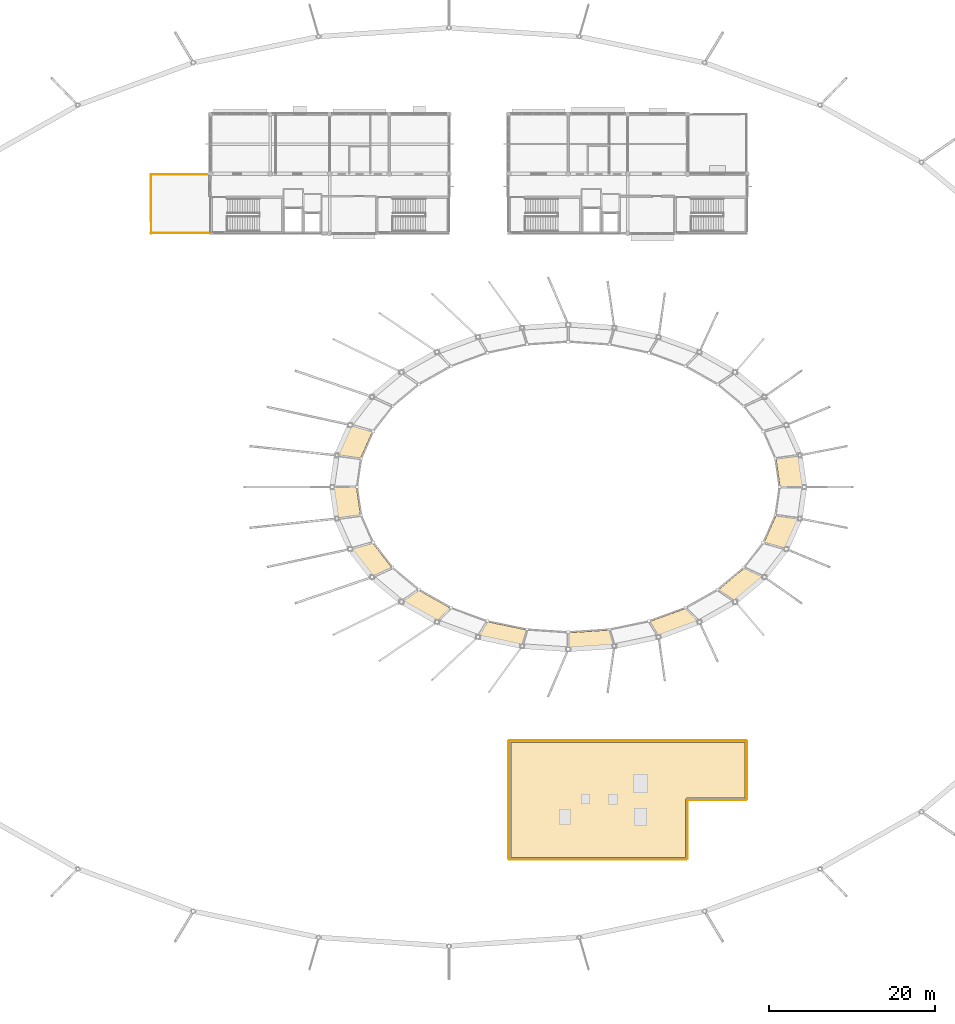
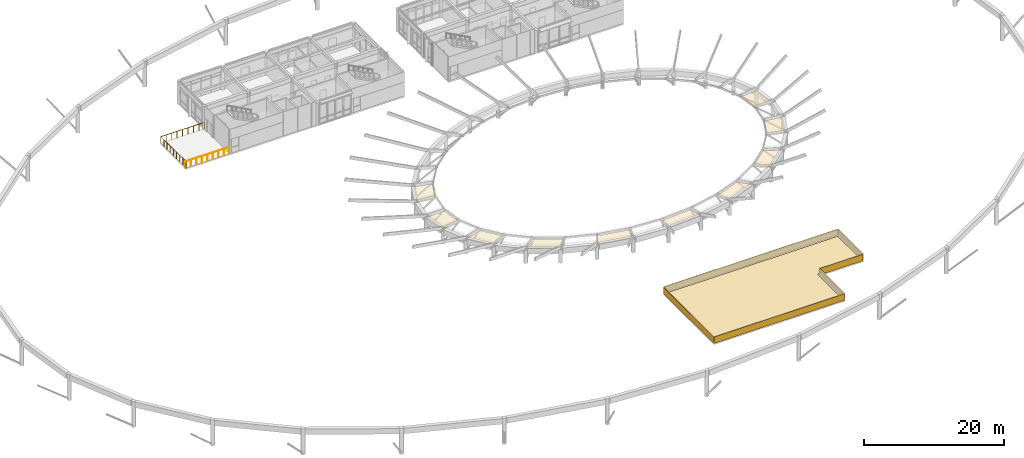
# One storey, part 30 of 37: 17 coverings, 2 railings.
"""IFC4 building model written with IfcOpenShell, lengths in metres."""

from ifc_helpers import new_model, si_unit, direction, frame, origin, origin_2d, place, context, subcontext, project, spatial, polyline, rectangle, circle, outline, extrude, material, layer, layer_set, type_object, element, save


model = new_model("IFC4")

# Units and contexts
model_context = context("Model", 3, precision=1e-05, world=origin(), true_north=direction((0.0, 1.0)))
body_context = subcontext(model_context, "Body", "Model", "MODEL_VIEW")
ifc_project = project(units=[si_unit("LENGTHUNIT", "METRE"), si_unit("AREAUNIT", "SQUARE_METRE"), si_unit("VOLUMEUNIT", "CUBIC_METRE"), si_unit("PLANEANGLEUNIT", "RADIAN"), si_unit("MASSUNIT", "GRAM", prefix="KILO")], contexts=[model_context])

# Site, building, storey
site_placement = place(None, origin())
site = spatial("IfcSite", under=ifc_project, at=site_placement, CompositionType="ELEMENT")
building_placement = place(site_placement, origin())
building = spatial("IfcBuilding", under=site, at=building_placement, Name="Namkhue Oval Health Centre", CompositionType="ELEMENT")
storey_placement = place(building_placement, frame((0.0, 0.0, 22.199951171875)))
storey = spatial("IfcBuildingStorey", under=building, at=storey_placement, Name="L05", CompositionType="ELEMENT", Elevation=22.199951171875)

# Railings
ifc_material_1 = material(Name="Brushed stainless steel 316L balustrade with laminated glass infill", Category="steel")
railing_type = type_object("IfcRailingType", Name="EXTERIOR BALUSTRADE GUARD 1150", PredefinedType="BALUSTRADE", material=ifc_material_1)
railing_1_placement = place(storey_placement, frame((50.39990234375, 90.06005859375, 0.0)))
element("IfcRailing", 1, at=railing_1_placement, inside=storey, type_object=railing_type, Name="Volume V2 L05 Terrace Balustrade Guard 1", PredefinedType="BALUSTRADE", context=body_context, shape_type="SweptSolid", body=[
    extrude(circle(Radius=0.02392578125, at=origin_2d()), frame((0.0, 0.0, 1.1259765625), z_axis=(1.0, 0.0, 0.0), x_axis=(0.0, 1.0, 0.0)), (0.0, 0.0, 1.0), 7.2001953125),
    extrude(circle(Radius=0.02099609375, at=origin_2d()), origin(), (0.0, 0.0, 1.0), 1.101806640625),
    extrude(circle(Radius=0.02099609375, at=origin_2d()), frame((0.89990234375, 0.0, 0.0)), (0.0, 0.0, 1.0), 1.101806640625),
    extrude(circle(Radius=0.02099609375, at=origin_2d()), frame((1.800048828125, 0.0, 0.0)), (0.0, 0.0, 1.0), 1.101806640625),
    extrude(circle(Radius=0.02099609375, at=origin_2d()), frame((2.7001953125, 0.0, 0.0)), (0.0, 0.0, 1.0), 1.101806640625),
    extrude(circle(Radius=0.02099609375, at=origin_2d()), frame((3.60009765625, 0.0, 0.0)), (0.0, 0.0, 1.0), 1.101806640625),
    extrude(circle(Radius=0.02099609375, at=origin_2d()), frame((4.5, 0.0, 0.0)), (0.0, 0.0, 1.0), 1.101806640625),
    extrude(circle(Radius=0.02099609375, at=origin_2d()), frame((5.400146484375, 0.0, 0.0)), (0.0, 0.0, 1.0), 1.101806640625),
    extrude(circle(Radius=0.02099609375, at=origin_2d()), frame((6.30029296875, 0.0, 0.0)), (0.0, 0.0, 1.0), 1.101806640625),
    extrude(circle(Radius=0.02099609375, at=origin_2d()), frame((7.2001953125, 0.0, 0.0)), (0.0, 0.0, 1.0), 1.101806640625),
])
railing_2_placement = place(storey_placement, frame((57.60009765625, 97.139892578125, 0.0)))
element("IfcRailing", 2, at=railing_2_placement, inside=storey, type_object=railing_type, Name="Volume V2 L05 Terrace Balustrade Guard 2", PredefinedType="BALUSTRADE", context=body_context, shape_type="SweptSolid", body=[
    extrude(circle(Radius=0.02392578125, at=origin_2d()), frame((0.0, 0.0, 1.1259765625), z_axis=(-1.0, 0.0, 0.0), x_axis=(0.0, -1.0, 0.0)), (0.0, 0.0, 1.0), 7.2001953125),
    extrude(circle(Radius=0.02392578125, at=origin_2d()), frame((-7.2001953125, 0.0, 1.1259765625), z_axis=(0.008411396731, -0.999964623577, 0.0), x_axis=(0.999964623577, 0.008411396731, 0.0)), (0.0, 0.0, 1.0), 7.14013671875),
    extrude(circle(Radius=0.02099609375, at=origin_2d()), origin(), (0.0, 0.0, 1.0), 1.101806640625),
    extrude(circle(Radius=0.02099609375, at=origin_2d()), frame((-0.89990234375, 0.0, 0.0)), (0.0, 0.0, 1.0), 1.101806640625),
    extrude(circle(Radius=0.02099609375, at=origin_2d()), frame((-1.800048828125, 0.0, 0.0)), (0.0, 0.0, 1.0), 1.101806640625),
    extrude(circle(Radius=0.02099609375, at=origin_2d()), frame((-2.7001953125, 0.0, 0.0)), (0.0, 0.0, 1.0), 1.101806640625),
    extrude(circle(Radius=0.02099609375, at=origin_2d()), frame((-3.60009765625, 0.0, 0.0)), (0.0, 0.0, 1.0), 1.101806640625),
    extrude(circle(Radius=0.02099609375, at=origin_2d()), frame((-4.5, 0.0, 0.0)), (0.0, 0.0, 1.0), 1.101806640625),
    extrude(circle(Radius=0.02099609375, at=origin_2d()), frame((-5.400146484375, 0.0, 0.0)), (0.0, 0.0, 1.0), 1.101806640625),
    extrude(circle(Radius=0.02099609375, at=origin_2d()), frame((-6.30029296875, 0.0, 0.0)), (0.0, 0.0, 1.0), 1.101806640625),
    extrude(circle(Radius=0.02099609375, at=origin_2d()), frame((-7.2001953125, 0.0, 0.0)), (0.0, 0.0, 1.0), 1.101806640625),
    extrude(circle(Radius=0.02099609375, at=origin_2d()), frame((-7.192626953125, -0.892578125, 0.0)), (0.0, 0.0, 1.0), 1.101806640625),
    extrude(circle(Radius=0.02099609375, at=origin_2d()), frame((-7.18505859375, -1.784912109375, 0.0)), (0.0, 0.0, 1.0), 1.101806640625),
    extrude(circle(Radius=0.02099609375, at=origin_2d()), frame((-7.177734375, -2.677490234375, 0.0)), (0.0, 0.0, 1.0), 1.101806640625),
    extrude(circle(Radius=0.02099609375, at=origin_2d()), frame((-7.170166015625, -3.56982421875, 0.0)), (0.0, 0.0, 1.0), 1.101806640625),
    extrude(circle(Radius=0.02099609375, at=origin_2d()), frame((-7.16259765625, -4.46240234375, 0.0)), (0.0, 0.0, 1.0), 1.101806640625),
    extrude(circle(Radius=0.02099609375, at=origin_2d()), frame((-7.1552734375, -5.35498046875, 0.0)), (0.0, 0.0, 1.0), 1.101806640625),
    extrude(circle(Radius=0.02099609375, at=origin_2d()), frame((-7.147705078125, -6.247314453125, 0.0)), (0.0, 0.0, 1.0), 1.101806640625),
    extrude(circle(Radius=0.02099609375, at=origin_2d()), frame((-7.14013671875, -7.139892578125, 0.0)), (0.0, 0.0, 1.0), 1.101806640625),
])

# Coverings
ifc_material_2 = material(Name="Slatted FSC timber acoustic soffit lining", Category="wood")
ifc_layer_1 = layer(ifc_material_2, 0.0400390625)
ifc_layer_set_1 = layer_set([ifc_layer_1], Name="Slatted FSC timber acoustic soffit lining")
covering_type_1 = type_object("IfcCoveringType", Name="SLATTED TIMBER SOFFIT CEILING 40", PredefinedType="CEILING", material=ifc_layer_set_1)
covering_1_placement = place(storey_placement, frame((129.215087890625, 59.44189453125, 2.4013671875), z_axis=(0.013226915044, 0.001894905502, 0.999910725041), x_axis=(-0.141820619058, 0.989892373953, 9.6782e-08)))
element("IfcCovering", 3, at=covering_1_placement, inside=storey, type_object=covering_type_1, Name="Gridshell Canopy Slatted Timber Soffit K6-1", PredefinedType="CEILING", context=body_context, shape_type="SweptSolid", body=[
    extrude(outline(polyline([(0.0, 0.0), (3.766586877320979, 1.1102230246251565e-16), (3.7844325695074414, 2.813755825064358), (0.40309464403786166, 2.8138075984584368), (0.0, 0.0)])), origin(), (0.0, 0.0, -1.0), 0.0400390625),
])
covering_2_placement = place(storey_placement, frame((74.528564453125, 66.837646484375, 2.4013671875), z_axis=(-0.012669048683, 0.005590195011, 0.999904117866), x_axis=(-0.403669346827, -0.914904945026, 3.9049e-07)))
element("IfcCovering", 4, at=covering_2_placement, inside=storey, type_object=covering_type_1, Name="Gridshell Canopy Slatted Timber Soffit K6-15", PredefinedType="CEILING", context=body_context, shape_type="SweptSolid", body=[
    extrude(outline(polyline([(0.0, 0.0), (3.9197313902014983, 0.0), (3.1452002714243465, 2.6973901680945573), (-0.3748852748918934, 2.697599964621639), (0.0, 0.0)])), origin(), (0.0, 0.0, -1.0), 0.0400390625),
])
covering_3_placement = place(storey_placement, frame((72.385009765625, 59.35791015625, 2.4013671875), z_axis=(-0.01322759064, -0.001894611254, 0.999910716661), x_axis=(0.1417662052, -0.989900168231, -2.50692e-07)))
element("IfcCovering", 5, at=covering_3_placement, inside=storey, type_object=covering_type_1, Name="Gridshell Canopy Slatted Timber Soffit K6-17", PredefinedType="CEILING", context=body_context, shape_type="SweptSolid", body=[
    extrude(outline(polyline([(0.0, 0.0), (3.7663105858943156, 1.1102230246251565e-16), (3.7842432835882884, 2.8137221939737134), (0.402905360381398, 2.813588098642962), (0.0, 0.0)])), origin(), (0.0, 0.0, -1.0), 0.0400390625),
])
covering_4_placement = place(storey_placement, frame((74.57958984375, 51.889404296875, 2.4013671875), z_axis=(-0.011729214528, -0.009119124523, 0.999889627456), x_axis=(0.613767102828, -0.789487139532, -4.25563e-07)))
element("IfcCovering", 6, at=covering_4_placement, inside=storey, type_object=covering_type_1, Name="Gridshell Canopy Slatted Timber Soffit K6-19", PredefinedType="CEILING", context=body_context, shape_type="SweptSolid", body=[
    extrude(outline(polyline([(0.0, 0.0), (4.188958533197765, -4.440892098500626e-16), (4.778150388455016, 2.5143259863172975), (1.013909830949152, 2.514098176892551), (0.0, 0.0)])), origin(), (0.0, 0.0, -1.0), 0.0400390625),
])
covering_5_placement = place(storey_placement, frame((80.76220703125, 45.572998046875, 2.401611328125), z_axis=(-0.008420401719, -0.014924104276, 0.999853173194), x_axis=(0.870949742469, -0.491372105531, 4.58235e-07)))
element("IfcCovering", 7, at=covering_5_placement, inside=storey, type_object=covering_type_1, Name="Gridshell Canopy Slatted Timber Soffit K6-21", PredefinedType="CEILING", context=body_context, shape_type="SweptSolid", body=[
    extrude(outline(polyline([(0.0, 0.0), (4.850297335967979, 0.0), (5.416800502090147, 2.1512259391000494), (1.0518703851049742, 2.151472368370575), (0.0, 0.0)])), origin(), (0.0, 0.0, -1.0), 0.0400390625),
])
covering_6_placement = place(storey_placement, frame((89.981689453125, 41.36279296875, 2.40185546875), z_axis=(-0.003834766206, -0.018386507423, 0.999823599898), x_axis=(0.978937137212, -0.20416189994, 1.70793e-07)))
element("IfcCovering", 8, at=covering_6_placement, inside=storey, type_object=covering_type_1, Name="Gridshell Canopy Slatted Timber Soffit K6-23", PredefinedType="CEILING", context=body_context, shape_type="SweptSolid", body=[
    extrude(outline(polyline([(0.0, 0.0), (5.352484741937441, 0.0), (5.500050405605942, 1.9367334115887986), (0.6777570883233278, 1.93682593445405), (0.0, 0.0)])), origin(), (0.0, 0.0, -1.0), 0.0400390625),
])
covering_7_placement = place(storey_placement, frame((100.842041015625, 39.89111328125, 2.40185546875), z_axis=(0.001297317365, -0.019157429117, 0.999815637944), x_axis=(0.997715626207, 0.067553898642, -1.94818e-07)))
element("IfcCovering", 9, at=covering_7_placement, inside=storey, type_object=covering_type_1, Name="Gridshell Canopy Slatted Timber Soffit K6-25", PredefinedType="CEILING", context=body_context, shape_type="SweptSolid", body=[
    extrude(outline(polyline([(0.0, 0.0), (5.464386997944815, 0.0), (5.052588943470341, 1.8945554490899845), (0.128246847365656, 1.894450044277902), (0.0, 0.0)])), origin(), (0.0, 0.0, -1.0), 0.0400390625),
])
covering_8_placement = place(storey_placement, frame((111.703857421875, 41.38330078125, 2.401611328125), z_axis=(0.006287134354, -0.017109333014, 0.999833857531), x_axis=(0.938631477911, 0.344921655851, 7.7276e-08)))
element("IfcCovering", 10, at=covering_8_placement, inside=storey, type_object=covering_type_1, Name="Gridshell Canopy Slatted Timber Soffit K6-27", PredefinedType="CEILING", context=body_context, shape_type="SweptSolid", body=[
    extrude(outline(polyline([(0.0, 0.0), (5.140150471499766, -2.220446049250313e-16), (4.239630039149511, 2.0224409553159557), (-0.3888831095400001, 2.0224823689709237), (0.0, 0.0)])), origin(), (0.0, 0.0, -1.0), 0.0400390625),
])
covering_9_placement = place(storey_placement, frame((120.91748046875, 45.6201171875, 2.4013671875), z_axis=(0.010338111437, -0.012340233063, 0.999870412653), x_axis=(0.766539895955, 0.642196689426, 2.81991e-07)))
element("IfcCovering", 11, at=covering_9_placement, inside=storey, type_object=covering_type_1, Name="Gridshell Canopy Slatted Timber Soffit K6-29", PredefinedType="CEILING", context=body_context, shape_type="SweptSolid", body=[
    extrude(outline(polyline([(0.0, 0.0), (4.517879365540935, 0.0), (3.4176405286478913, 2.3202674712751543), (-0.6449807447906065, 2.3204177734988938), (0.0, 0.0)])), origin(), (0.0, 0.0, -1.0), 0.0400390625),
])
covering_10_placement = place(storey_placement, frame((127.0712890625, 51.96240234375, 2.4013671875), z_axis=(0.012669048683, -0.005590195011, 0.999904117866), x_axis=(0.403721470622, 0.914881945476, -3.98517e-07)))
element("IfcCovering", 12, at=covering_10_placement, inside=storey, type_object=covering_type_1, Name="Gridshell Canopy Slatted Timber Soffit K6-31", PredefinedType="CEILING", context=body_context, shape_type="SweptSolid", body=[
    extrude(outline(polyline([(0.0, 0.0), (3.919829948650974, 2.220446049250313e-16), (3.145046574437017, 2.6975693709194863), (-0.374940413306881, 2.6973552615984695), (0.0, 0.0)])), origin(), (0.0, 0.0, -1.0), 0.0400390625),
])
ifc_material_3 = material(Name="Standing-seam aluminium-zinc insulated roofing", Category="aluminium")
ifc_layer_2 = layer(ifc_material_3, 0.044921875)
ifc_layer_set_2 = layer_set([ifc_layer_2], Name="Standing-seam aluminium-zinc insulated roofing")
covering_type_2 = type_object("IfcCoveringType", Name="STANDING SEAM ROOFING 45", PredefinedType="ROOFING", material=ifc_layer_set_2)
covering_11_placement = place(storey_placement, frame((0.0, 0.0, 0.260009765625)))
element("IfcCovering", 13, at=covering_11_placement, inside=storey, type_object=covering_type_2, Name="Volume V5 L05 Standing Seam Roofing 1", PredefinedType="ROOFING", context=body_context, shape_type="SweptSolid", body=[
    extrude(outline(polyline([(93.860107421875, 14.659912109375), (93.860107421875, 28.5400390625), (122.139892578125, 28.5400390625), (122.139892578125, 21.860107421875), (115.199951171875, 21.860107421875), (115.174560546875, 21.858642578125), (115.1494140625, 21.85498046875), (115.12451171875, 21.848876953125), (115.1005859375, 21.840087890625), (115.077392578125, 21.829345703125), (115.0556640625, 21.816162109375), (115.03515625, 21.801025390625), (115.01611328125, 21.78369140625), (114.9990234375, 21.764892578125), (114.98388671875, 21.744384765625), (114.970703125, 21.72265625), (114.959716796875, 21.699462890625), (114.951171875, 21.675537109375), (114.945068359375, 21.650634765625), (114.94140625, 21.62548828125), (114.93994140625, 21.60009765625), (114.93994140625, 14.659912109375), (93.860107421875, 14.659912109375)])), origin(), (0.0, 0.0, 1.0), 0.044921875),
])
ifc_material_4 = material(Name="White glass-fibre reinforced concrete GRC rainscreen cladding", Category="concrete")
ifc_layer_3 = layer(ifc_material_4, 0.02490234375)
ifc_layer_set_3 = layer_set([ifc_layer_3], Name="White glass-fibre reinforced concrete GRC rainscreen cladding")
covering_type_3 = type_object("IfcCoveringType", Name="WHITE GRC RAINSCREEN CLADDING 25", PredefinedType="CLADDING", material=ifc_layer_set_3)
covering_12_placement = place(storey_placement, frame((93.587890625, 21.60009765625, 0.230224609375), z_axis=(0.0, 0.0, 1.0), x_axis=(0.0, 1.0, 0.0)))
element("IfcCovering", 14, at=covering_12_placement, inside=storey, type_object=covering_type_3, Name="Volume V5 L05 Parapet 1 White GRC Cladding 1", PredefinedType="CLADDING", context=body_context, shape_type="SweptSolid", body=[
    extrude(rectangle(XDim=14.195068359375, YDim=0.02490234375, at=origin_2d()), origin(), (0.0, 0.0, 1.0), 1.1298828125),
])
covering_13_placement = place(storey_placement, frame((108.0, 28.81201171875, 0.230224609375), z_axis=(0.0, 0.0, 1.0), x_axis=(1.0, 0.0, 0.0)))
element("IfcCovering", 15, at=covering_13_placement, inside=storey, type_object=covering_type_3, Name="Volume V5 L05 Parapet 2 White GRC Cladding 1", PredefinedType="CLADDING", context=body_context, shape_type="SweptSolid", body=[
    extrude(rectangle(XDim=28.594970703125, YDim=0.02490234375, at=origin_2d()), origin(), (0.0, 0.0, 1.0), 1.1298828125),
])
covering_14_placement = place(storey_placement, frame((122.412109375, 25.199951171875, 0.230224609375), z_axis=(0.0, 0.0, 1.0), x_axis=(0.0, -1.0, 0.0)))
element("IfcCovering", 16, at=covering_14_placement, inside=storey, type_object=covering_type_3, Name="Volume V5 L05 Parapet 3 White GRC Cladding 1", PredefinedType="CLADDING", context=body_context, shape_type="SweptSolid", body=[
    extrude(rectangle(XDim=6.9951171875, YDim=0.02490234375, at=origin_2d()), origin(), (0.0, 0.0, 1.0), 1.1298828125),
])
for number, where, z_axis, x_axis, name in (
    (17, (118.717529296875, 21.587890625, 0.230224609375), (0.0, 0.0, 1.0), (-1.0, 0.0, 0.0), "Volume V5 L05 Parapet 4 White GRC Cladding 1"),
    (18, (115.2119140625, 18.08251953125, 0.230224609375), (0.0, 0.0, 1.0), (0.0, -1.0, 0.0), "Volume V5 L05 Parapet 5 White GRC Cladding 1"),
):
    element("IfcCovering", number, at=place(storey_placement, frame(where, z_axis=z_axis, x_axis=x_axis)), inside=storey, type_object=covering_type_3, Name=name, PredefinedType="CLADDING", context=body_context, shape_type="SweptSolid", body=[
        extrude(rectangle(XDim=7.159912109375, YDim=0.02490234375, at=origin_2d()), origin(), (0.0, 0.0, 1.0), 1.1298828125),
    ])
covering_15_placement = place(storey_placement, frame((104.39990234375, 14.387939453125, 0.230224609375), z_axis=(0.0, 0.0, 1.0), x_axis=(-1.0, 0.0, 0.0)))
element("IfcCovering", 19, at=covering_15_placement, inside=storey, type_object=covering_type_3, Name="Volume V5 L05 Parapet 6 White GRC Cladding 1", PredefinedType="CLADDING", context=body_context, shape_type="SweptSolid", body=[
    extrude(rectangle(XDim=21.39501953125, YDim=0.02490234375, at=origin_2d()), origin(), (0.0, 0.0, 1.0), 1.1298828125),
])

save(model, "model.ifc")
